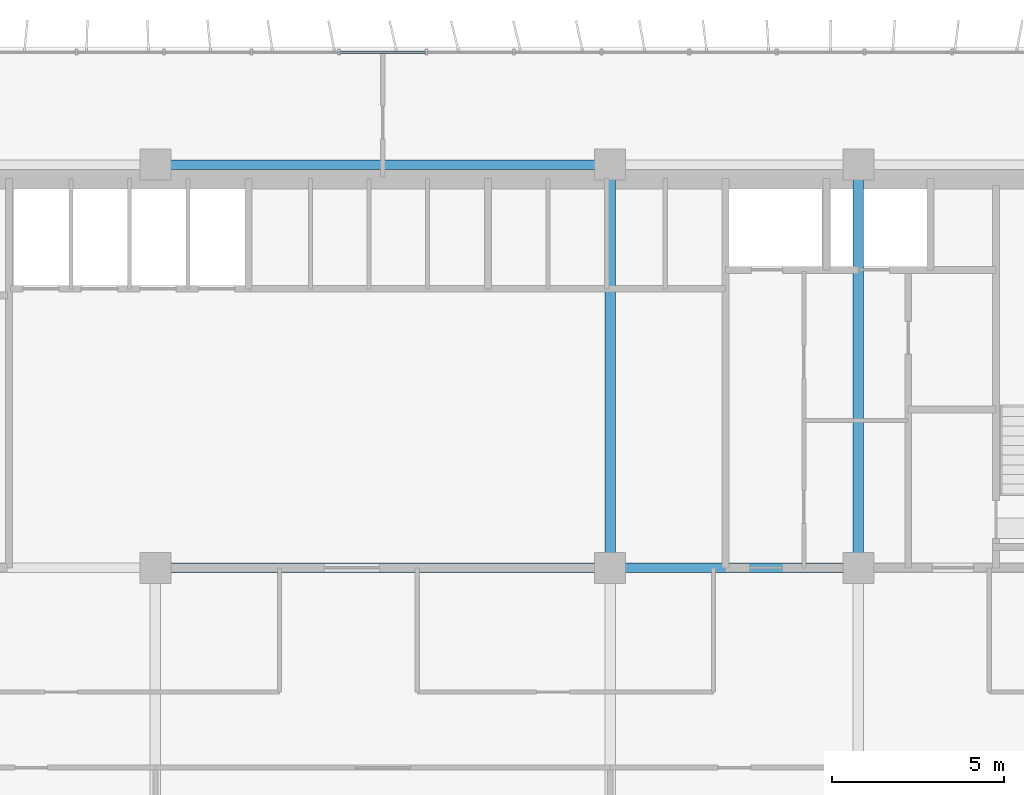
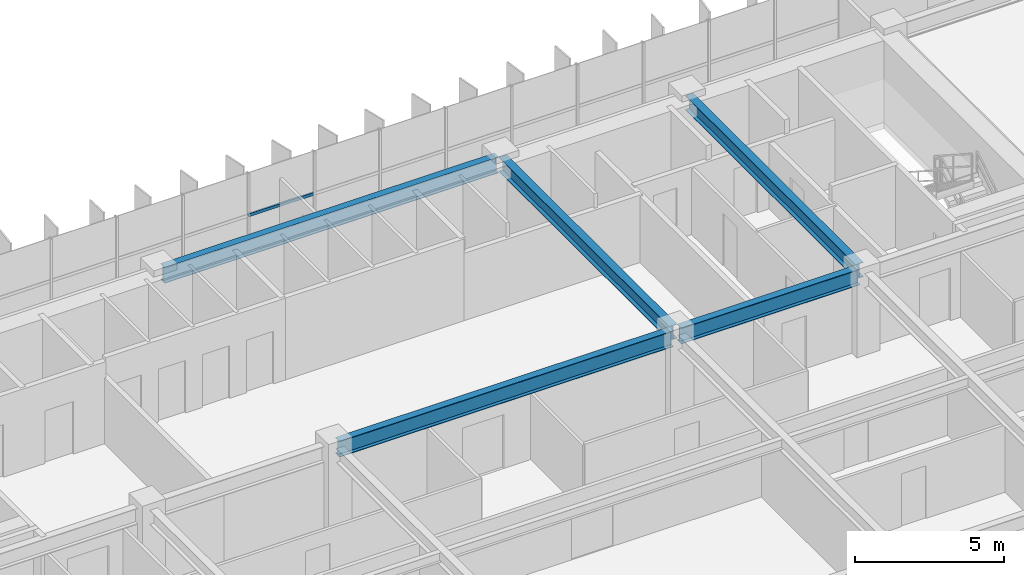
# One storey, part 9 of 21: 5 beams, 1 member, 1 element without a shape of its own.
"""IFC4 building model written with IfcOpenShell, lengths in metres."""

import ifcopenshell
import ifcopenshell.guid

model = None  # the IFC model being written
_history = None  # IfcOwnerHistory: only IFC2X3 demands one
_inside = {}  # id of a spatial element -> (the spatial element, [elements in it])
_under = {}  # id of a project, library or spatial element -> (it, [spatial elements below it])
_declared = {}  # id of a project -> (the project, [libraries it declares])
_typed = {}  # id of a type object -> (the type object, [elements of that type])
_made_of = {}  # id of a material, layer set ... -> (it, [elements and type objects made of it])


def new_model(schema):
    """Start an empty IFC model of exactly this schema.

    Asked for "IFC4X3", IfcOpenShell would pick the latest addendum, in which some entities
    have other attributes; the version numbers below select the first issue.
    IFC2X3 requires an IfcOwnerHistory on every rooted entity: one is made here for all.
    """
    global model, _history
    if schema == "IFC4X3":
        model = ifcopenshell.file(schema_version=(4, 3, 0, 0))
    else:
        model = ifcopenshell.file(schema=schema)
    _inside.clear()
    _under.clear()
    _declared.clear()
    _typed.clear()
    _made_of.clear()
    _history = None
    if model.schema == "IFC2X3":
        org = make("IfcOrganization", Name="unknown")
        user = make(
            "IfcPersonAndOrganization",
            ThePerson=make("IfcPerson", FamilyName="unknown"),
            TheOrganization=org,
        )
        app = make(
            "IfcApplication",
            ApplicationDeveloper=org,
            Version="unknown",
            ApplicationFullName="unknown",
            ApplicationIdentifier="unknown",
        )
        _history = make(
            "IfcOwnerHistory",
            OwningUser=user,
            OwningApplication=app,
            ChangeAction="ADDED",
            CreationDate=0,
        )
    return model


def make(cls, **values):
    """One entity of the class cls with the attributes given. An attribute that is None is left unset."""
    return model.create_entity(
        cls, **{name: value for name, value in values.items() if value is not None}
    )


def rooted(cls, **values):
    """An entity with a GlobalId (a new one), such as an element, a storey or a relation."""
    return make(cls, GlobalId=ifcopenshell.guid.new(), OwnerHistory=_history, **values)


def si_unit(unit_type, name, prefix=None):
    """IfcSIUnit, for example si_unit("LENGTHUNIT", "METRE", prefix="MILLI")."""
    return make("IfcSIUnit", UnitType=unit_type, Prefix=prefix, Name=name)


def assignment(units):
    """IfcUnitAssignment: the units of a project."""
    return None if units is None else make("IfcUnitAssignment", Units=units)


def point(xyz):
    """IfcCartesianPoint."""
    return None if xyz is None else make("IfcCartesianPoint", Coordinates=xyz)


def direction(xyz):
    """IfcDirection."""
    return None if xyz is None else make("IfcDirection", DirectionRatios=xyz)


def frame(location, z_axis=None, x_axis=None):
    """IfcAxis2Placement3D, a coordinate frame: its origin and axes. An axis left out is left unset."""
    return make(
        "IfcAxis2Placement3D",
        Location=point(location),
        Axis=direction(z_axis),
        RefDirection=direction(x_axis),
    )


def frame_2d(location, x_axis=None):
    """IfcAxis2Placement2D, a coordinate frame in the plane: its origin and x axis."""
    return make(
        "IfcAxis2Placement2D", Location=point(location), RefDirection=direction(x_axis)
    )


def origin():
    """The frame at (0, 0, 0) with its axes left unset."""
    return frame((0.0, 0.0, 0.0))


def origin_2d():
    """The frame at (0, 0) in the plane with its x axis left unset."""
    return frame_2d((0.0, 0.0))


def place(relative_to, where):
    """IfcLocalPlacement: puts the frame where relative to a parent placement (None: the world)."""
    return make(
        "IfcLocalPlacement", PlacementRelTo=relative_to, RelativePlacement=where
    )


def context(
    kind, dimensions, precision=None, world=None, true_north=None, identifier=None
):
    """IfcGeometricRepresentationContext, for example the 3D "Model" context."""
    return make(
        "IfcGeometricRepresentationContext",
        ContextIdentifier=identifier,
        ContextType=kind,
        CoordinateSpaceDimension=dimensions,
        Precision=precision,
        WorldCoordinateSystem=world,
        TrueNorth=true_north,
    )


def subcontext(parent, identifier, kind, view, scale=None):
    """IfcGeometricRepresentationSubContext, for example "Body" below "Model"."""
    return make(
        "IfcGeometricRepresentationSubContext",
        ContextIdentifier=identifier,
        ContextType=kind,
        ParentContext=parent,
        TargetScale=scale,
        TargetView=view,
    )


def project(units=None, contexts=None):
    """IfcProject with its units and contexts."""
    return rooted(
        "IfcProject",
        Name="project",
        RepresentationContexts=contexts,
        UnitsInContext=assignment(units),
    )


def spatial(cls, under=None, at=None, **own):
    """A site, building, storey or space (cls), placed at a placement, below another one or the project."""
    s = rooted(cls, ObjectPlacement=at, **own)
    if under is not None:
        _under.setdefault(under.id(), (under, []))[1].append(s)
    return s


def profile(cls, at=None, kind="AREA", **sizes):
    """A parametric profile (cls). Its sizes go by their IFC names, for example OverallWidth=200.0."""
    return make(cls, ProfileType=kind, Position=at, **sizes)


def hollow_rectangle(**sizes):
    """IfcRectangleHollowProfileDef."""
    return profile("IfcRectangleHollowProfileDef", **sizes)


def i_section(**sizes):
    """IfcIShapeProfileDef."""
    return profile("IfcIShapeProfileDef", **sizes)


def extrude(swept, where, along, depth):
    """IfcExtrudedAreaSolid: the profile swept, set in the frame where, extruded along a direction by depth."""
    return make(
        "IfcExtrudedAreaSolid",
        SweptArea=swept,
        Position=where,
        ExtrudedDirection=direction(along),
        Depth=depth,
    )


def shape(context_of_items, identifier, shape_type, items):
    """IfcShapeRepresentation: the items that make up one representation, for example the "Body"."""
    return make(
        "IfcShapeRepresentation",
        ContextOfItems=context_of_items,
        RepresentationIdentifier=identifier,
        RepresentationType=shape_type,
        Items=items,
    )


def source(mapping_origin, context_of_items, identifier, shape_type, items):
    """IfcRepresentationMap: a shape defined once, which mapped items show again and again."""
    return make(
        "IfcRepresentationMap",
        MappingOrigin=mapping_origin,
        MappedRepresentation=shape(context_of_items, identifier, shape_type, items),
    )


def transform(
    local_origin,
    x_axis=None,
    y_axis=None,
    z_axis=None,
    scale=None,
    scale2=None,
    scale3=None,
    uniform=True,
):
    """IfcCartesianTransformationOperator3D, or its non-uniform kind. x_axis, y_axis, z_axis: its Axis1, 2, 3."""
    if uniform:
        return make(
            "IfcCartesianTransformationOperator3D",
            Axis1=direction(x_axis),
            Axis2=direction(y_axis),
            LocalOrigin=point(local_origin),
            Scale=scale,
            Axis3=direction(z_axis),
        )
    return make(
        "IfcCartesianTransformationOperator3DnonUniform",
        Axis1=direction(x_axis),
        Axis2=direction(y_axis),
        LocalOrigin=point(local_origin),
        Scale=scale,
        Axis3=direction(z_axis),
        Scale2=scale2,
        Scale3=scale3,
    )


def mapped(mapping_source, mapping_target):
    """IfcMappedItem: shows the shape of a source again, moved by a transform."""
    return make(
        "IfcMappedItem", MappingSource=mapping_source, MappingTarget=mapping_target
    )


def material(Name=None, Category=None):
    """IfcMaterial."""
    return make("IfcMaterial", Name=Name, Category=Category)


def material_profile(
    of_material, cross_section, Name=None, Category=None, Priority=None
):
    """IfcMaterialProfile: a cross section and its material."""
    return make(
        "IfcMaterialProfile",
        Name=Name,
        Material=of_material,
        Profile=cross_section,
        Priority=Priority,
        Category=Category,
    )


def profile_set(profiles, Name=None, composite=None):
    """IfcMaterialProfileSet."""
    return make(
        "IfcMaterialProfileSet",
        Name=Name,
        MaterialProfiles=profiles,
        CompositeProfile=composite,
    )


def made_of(thing, what):
    """Note that an element or type object is made of a material, layer set ...; save() writes the relation."""
    if what is not None:
        _made_of.setdefault(what.id(), (what, []))[1].append(thing)
    return thing


def type_object(cls, material=None, **own):
    """A type object (cls), such as IfcWallType, which elements share."""
    return made_of(rooted(cls, **own), material)


def element(
    cls,
    number,
    at=None,
    inside=None,
    cuts=None,
    type_object=None,
    material=None,
    context=None,
    identifier="Body",
    shape_type=None,
    held_by="IfcProductDefinitionShape",
    body=None,
    shapes=None,
    **own,
):
    """One element of the class cls, such as IfcWall. Its Tag is "e" and its number.

    at: its placement. inside: the storey or other place that contains it. cuts: it is an
    opening in that element (IfcRelVoidsElement). A single representation is given by context,
    identifier, shape_type and body (its items); several are given by shapes. held_by: the class
    of the entity that holds the representations. save() writes the other relations.
    """
    e = rooted(cls, Tag="e%d" % number, ObjectPlacement=at, **own)
    if body is not None:
        shapes = [shape(context, identifier, shape_type, body)]
    if shapes is not None:
        e.Representation = make(held_by, Representations=shapes)
    if inside is not None:
        _inside.setdefault(inside.id(), (inside, []))[1].append(e)
    if cuts is not None:
        rooted(
            "IfcRelVoidsElement", RelatingBuildingElement=cuts, RelatedOpeningElement=e
        )
    if type_object is not None:
        _typed.setdefault(type_object.id(), (type_object, []))[1].append(e)
    return made_of(e, material)


def aggregate(whole, parts):
    """IfcRelAggregates: a whole, such as a stair, and the parts it consists of."""
    return rooted("IfcRelAggregates", RelatingObject=whole, RelatedObjects=parts)


def save(model, path):
    """Write the relations noted so far, then the file.

    IfcRelAggregates (storeys below a building ...), IfcRelContainedInSpatialStructure (elements
    in a storey), IfcRelDefinesByType, IfcRelAssociatesMaterial and IfcRelDeclares: one each for
    every whole, place, type object, material and project.
    """
    for whole, parts in _under.values():
        aggregate(whole, parts)
    for where, things in _inside.values():
        rooted(
            "IfcRelContainedInSpatialStructure",
            RelatedElements=things,
            RelatingStructure=where,
        )
    for kind, things in _typed.values():
        rooted("IfcRelDefinesByType", RelatedObjects=things, RelatingType=kind)
    for what, things in _made_of.values():
        rooted("IfcRelAssociatesMaterial", RelatedObjects=things, RelatingMaterial=what)
    for by, libraries in _declared.values():
        rooted("IfcRelDeclares", RelatingContext=by, RelatedDefinitions=libraries)
    model.write(path)


model = new_model("IFC4")

# Units and contexts
model_context = context("Model", 3, precision=1e-05, world=origin(), true_north=direction((0.0, 1.0)))
body_context = subcontext(model_context, "Body", "Model", "MODEL_VIEW")
ifc_project = project(units=[si_unit("LENGTHUNIT", "METRE"), si_unit("AREAUNIT", "SQUARE_METRE"), si_unit("VOLUMEUNIT", "CUBIC_METRE"), si_unit("PLANEANGLEUNIT", "RADIAN"), si_unit("MASSUNIT", "GRAM", prefix="KILO")], contexts=[model_context])

# Site, building, storey
site_placement = place(None, origin())
site = spatial("IfcSite", under=ifc_project, at=site_placement, CompositionType="ELEMENT")
building_placement = place(site_placement, origin())
building = spatial("IfcBuilding", under=site, at=building_placement, Name="Trelvane Seafront Commons", CompositionType="ELEMENT")
storey_placement = place(building_placement, frame((0.0, 0.0, 41.5)))
storey = spatial("IfcBuildingStorey", under=building, at=storey_placement, Name="L10", CompositionType="ELEMENT", Elevation=41.5)

# Beams
ifc_material_1 = material(Name="Steel SM355 (S355)", Category="steel")
ifc_material_profile_1 = material_profile(ifc_material_1, i_section(OverallWidth=0.280029296875, OverallDepth=0.64990234375, WebThickness=0.012939453125, FlangeThickness=0.02197265625, at=origin_2d()), Name="H-650x280x13x22")
ifc_profile_set_1 = profile_set([ifc_material_profile_1], Name="Steel SM355 (S355)")
beam_type_1 = type_object("IfcBeamType", Name="STR-BM-H650", PredefinedType="BEAM", material=ifc_profile_set_1)
shared_shape_1 = source(origin(), body_context, "Body", "SweptSolid", [
    extrude(i_section(OverallWidth=0.280029296875, OverallDepth=0.64990234375, WebThickness=0.012939453125, FlangeThickness=0.02197265625, at=origin_2d()), origin(), (0.0, 0.0, 1.0), 12.89990234375),
])
for number, where, z_axis, x_axis, name in (
    (1, (30.75, 33.39990234375, 3.014892578125), (1.0, 0.0, 0.0), (0.0, 1.0, 0.0), "L10 Primary Girder G-23"),
    (2, (30.75, 45.10009765625, 3.014892578125), (1.0, 0.0, 0.0), (0.0, 1.0, 0.0), "L10 Primary Girder G-32"),
):
    element("IfcBeam", number, at=place(storey_placement, frame(where, z_axis=z_axis, x_axis=x_axis)), inside=storey, type_object=beam_type_1, Name=name, PredefinedType="BEAM", context=body_context, shape_type="MappedRepresentation", body=[
        mapped(shared_shape_1, transform((0.0, 0.0, 0.0), x_axis=(1.0, 0.0, 0.0), y_axis=(0.0, 1.0, 0.0), z_axis=(0.0, 0.0, 1.0), scale=1.0)),
    ])
shared_shape_2 = source(origin(), body_context, "Body", "SweptSolid", [
    extrude(i_section(OverallWidth=0.280029296875, OverallDepth=0.64990234375, WebThickness=0.012939453125, FlangeThickness=0.02197265625, at=origin_2d()), origin(), (0.0, 0.0, 1.0), 6.900146484375),
])
beam_placement = place(storey_placement, frame((43.949951171875, 33.39990234375, 3.014892578125), z_axis=(1.0, 0.0, 0.0), x_axis=(0.0, 1.0, 0.0)))
element("IfcBeam", 3, at=beam_placement, inside=storey, type_object=beam_type_1, Name="L10 Primary Girder G-24", PredefinedType="BEAM", context=body_context, shape_type="MappedRepresentation", body=[
    mapped(shared_shape_2, transform((0.0, 0.0, 0.0), x_axis=(1.0, 0.0, 0.0), y_axis=(0.0, 1.0, 0.0), z_axis=(0.0, 0.0, 1.0), scale=1.0)),
])
ifc_material_profile_2 = material_profile(ifc_material_1, i_section(OverallWidth=0.300048828125, OverallDepth=0.587890625, WebThickness=0.011962890625, FlangeThickness=0.02001953125, at=origin_2d()), Name="H-588x300x12x20")
ifc_profile_set_2 = profile_set([ifc_material_profile_2], Name="Steel SM355 (S355)")
beam_type_2 = type_object("IfcBeamType", Name="STR-BM-H588", PredefinedType="BEAM", material=ifc_profile_set_2)
shared_shape_3 = source(origin(), body_context, "Body", "SweptSolid", [
    extrude(i_section(OverallWidth=0.300048828125, OverallDepth=0.587890625, WebThickness=0.011962890625, FlangeThickness=0.02001953125, at=origin_2d()), origin(), (0.0, 0.0, 1.0), 11.39990234375),
])
for number, where, z_axis, x_axis, name in (
    (4, (43.800048828125, 33.550048828125, 3.0458984375), (0.0, 1.0, 0.0), (-1.0, 0.0, 0.0), "L10 Primary Girder G-54"),
    (5, (51.0, 33.550048828125, 3.0458984375), (0.0, 1.0, 0.0), (-1.0, 0.0, 0.0), "L10 Primary Girder G-57"),
):
    element("IfcBeam", number, at=place(storey_placement, frame(where, z_axis=z_axis, x_axis=x_axis)), inside=storey, type_object=beam_type_2, Name=name, PredefinedType="BEAM", context=body_context, shape_type="MappedRepresentation", body=[
        mapped(shared_shape_3, transform((0.0, 0.0, 0.0), x_axis=(1.0, 0.0, 0.0), y_axis=(0.0, 1.0, 0.0), z_axis=(0.0, 0.0, 1.0), scale=1.0)),
    ])

# Curtain wall, member
ifc_material_2 = material(Name="Anodised pale-silver aluminium", Category="aluminium")
curtain_wall_type = type_object("IfcCurtainWallType", Name="ARCH-CW2-LOWTOWER", PredefinedType="NOTDEFINED", material=ifc_material_2)
curtain_wall_placement = place(storey_placement, origin())
curtain_wall = element("IfcCurtainWall", 6, at=curtain_wall_placement, inside=storey, type_object=curtain_wall_type, Name="CW-L10-0034", PredefinedType="NOTDEFINED")
ifc_material_profile_3 = material_profile(ifc_material_2, hollow_rectangle(XDim=0.070068359375, YDim=0.1201171875, WallThickness=0.00390625, at=origin_2d()), Name="TRAN-70x120x4")
ifc_profile_set_3 = profile_set([ifc_material_profile_3], Name="Anodised pale-silver aluminium")
member_type = type_object("IfcMemberType", Name="ARCH-CW-TRAN-120", PredefinedType="USERDEFINED", material=ifc_profile_set_3)
shared_shape_4 = source(origin(), body_context, "Body", "SweptSolid", [
    extrude(hollow_rectangle(XDim=0.070068359375, YDim=0.1201171875, WallThickness=0.00390625, at=origin_2d()), origin(), (0.0, 0.0, 1.0), 2.51708984375),
])
member_placement = place(storey_placement, frame((35.94140625, 48.3701171875, 1.60302734375), z_axis=(1.0, 0.0, 0.0), x_axis=(0.0, 1.0, 0.0)))
member = element("IfcMember", 7, at=member_placement, type_object=member_type, Name="CW-L10-0034-T08", ObjectType="TRANSOM", PredefinedType="USERDEFINED", context=body_context, shape_type="MappedRepresentation", body=[
    mapped(shared_shape_4, transform((0.0, 0.0, 0.0), x_axis=(1.0, 0.0, 0.0), y_axis=(0.0, 1.0, 0.0), z_axis=(0.0, 0.0, 1.0), scale=1.0)),
])
aggregate(curtain_wall, [member])

save(model, "model.ifc")
